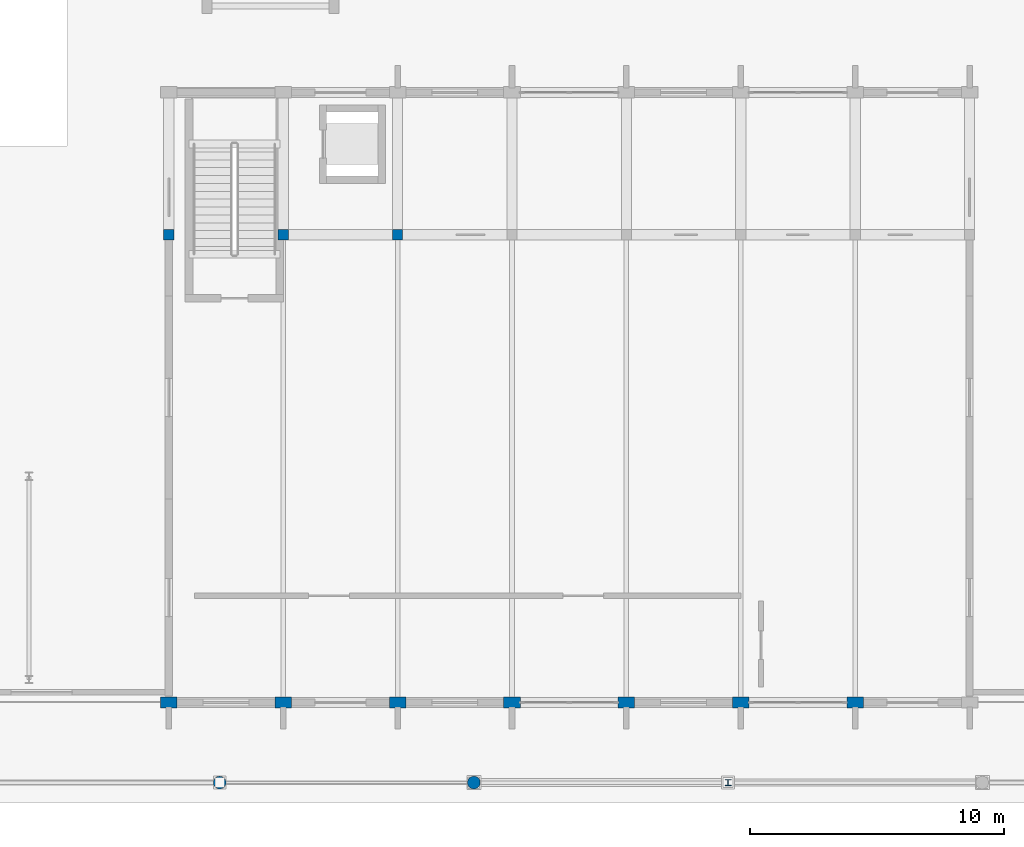
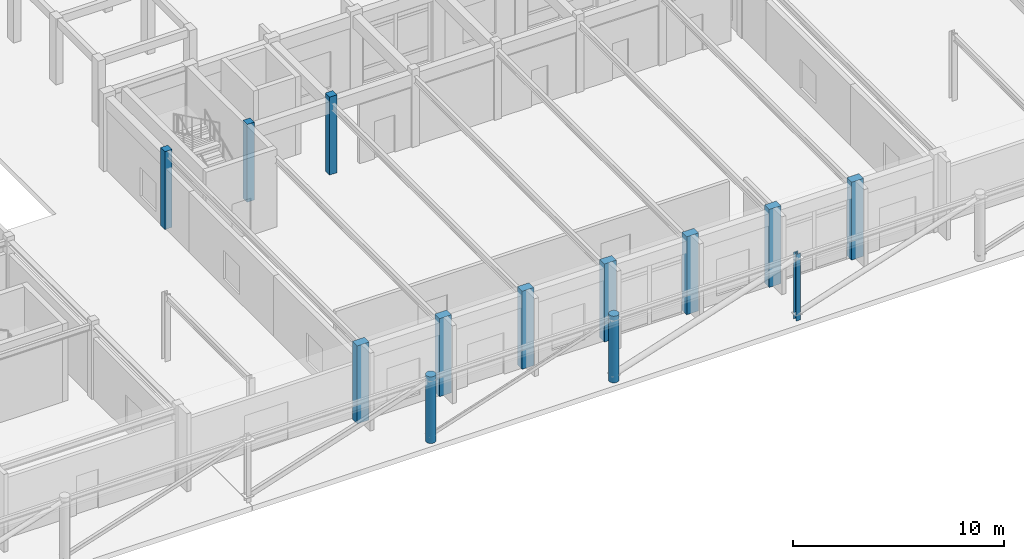
# One storey, part 3 of 61: 13 columns.
"""IFC4 building model written with IfcOpenShell, lengths in metres."""

from ifc_helpers import new_model, si_unit, direction, frame, origin, origin_2d, place, context, subcontext, project, spatial, rectangle, circle, i_section, extrude, material, material_profile, profile_set, type_object, element, save


model = new_model("IFC4")

# Units and contexts
model_context = context("Model", 3, precision=1e-05, world=origin(), true_north=direction((0.0, 1.0)))
body_context = subcontext(model_context, "Body", "Model", "MODEL_VIEW")
ifc_project = project(units=[si_unit("LENGTHUNIT", "METRE"), si_unit("AREAUNIT", "SQUARE_METRE"), si_unit("VOLUMEUNIT", "CUBIC_METRE"), si_unit("PLANEANGLEUNIT", "RADIAN"), si_unit("MASSUNIT", "GRAM", prefix="KILO")], contexts=[model_context])

# Site, building, storey
site_placement = place(None, origin())
site = spatial("IfcSite", under=ifc_project, at=site_placement, CompositionType="ELEMENT")
building_placement = place(site_placement, origin())
building = spatial("IfcBuilding", under=site, at=building_placement, Name="Zimvara Arc Housing Community", CompositionType="ELEMENT")
storey_placement = place(building_placement, origin())
storey = spatial("IfcBuildingStorey", under=building, at=storey_placement, Name="L00", CompositionType="ELEMENT", Elevation=0.0)

# Columns
ifc_material_1 = material(Name="Concrete C40/50", Category="concrete")
ifc_material_profile_1 = material_profile(ifc_material_1, rectangle(XDim=0.39990234375, YDim=0.39990234375, at=origin_2d()), Name="RC 400x400")
ifc_profile_set_1 = profile_set([ifc_material_profile_1], Name="Concrete C40/50")
column_type_1 = type_object("IfcColumnType", Name="COL-RC-400x400", PredefinedType="COLUMN", material=ifc_profile_set_1)
for number, where, z_axis, x_axis, name in (
    (1, (68.0, 22.0, 0.0), (0.0, 0.0, 1.0), (1.0, 0.0, 0.0), "col:hall:L00:gal:x0"),
    (2, (72.5, 22.0, 0.0), (0.0, 0.0, 1.0), (1.0, 0.0, 0.0), "col:hall:L00:gal:x1"),
    (3, (77.0, 22.0, 0.0), (0.0, 0.0, 1.0), (1.0, 0.0, 0.0), "col:hall:L00:gal:x2"),
):
    element("IfcColumn", number, at=place(storey_placement, frame(where, z_axis=z_axis, x_axis=x_axis)), inside=storey, type_object=column_type_1, Name=name, PredefinedType="COLUMN", context=body_context, shape_type="SweptSolid", body=[
        extrude(rectangle(XDim=0.39990234375, YDim=0.39990234375, at=origin_2d()), origin(), (0.0, 0.0, 1.0), 4.5),
    ])
ifc_material_2 = material(Name="Concrete C40/50", Category="concrete")
ifc_material_profile_2 = material_profile(ifc_material_2, rectangle(XDim=0.449951171875, YDim=0.64990234375, at=origin_2d()), Name="RC 450x650")
ifc_profile_set_2 = profile_set([ifc_material_profile_2], Name="Concrete C40/50")
column_type_2 = type_object("IfcColumnType", Name="COL-RC-450x650", PredefinedType="COLUMN", material=ifc_profile_set_2)
for number, where, z_axis, x_axis, name in (
    (4, (68.0, 3.60009765625, 0.0), (0.0, 0.0, 1.0), (0.0, 1.0, 0.0), "col:hall:L00:x0:y0"),
    (5, (72.5, 3.60009765625, 0.0), (0.0, 0.0, 1.0), (0.0, 1.0, 0.0), "col:hall:L00:x1:y0"),
    (6, (77.0, 3.60009765625, 0.0), (0.0, 0.0, 1.0), (0.0, 1.0, 0.0), "col:hall:L00:x2:y0"),
    (7, (81.5, 3.60009765625, 0.0), (0.0, 0.0, 1.0), (0.0, 1.0, 0.0), "col:hall:L00:x3:y0"),
    (8, (86.0, 3.60009765625, 0.0), (0.0, 0.0, 1.0), (0.0, 1.0, 0.0), "col:hall:L00:x4:y0"),
    (9, (90.5, 3.60009765625, 0.0), (0.0, 0.0, 1.0), (0.0, 1.0, 0.0), "col:hall:L00:x5:y0"),
    (10, (95.0, 3.60009765625, 0.0), (0.0, 0.0, 1.0), (0.0, 1.0, 0.0), "col:hall:L00:x6:y0"),
):
    element("IfcColumn", number, at=place(storey_placement, frame(where, z_axis=z_axis, x_axis=x_axis)), inside=storey, type_object=column_type_2, Name=name, PredefinedType="COLUMN", context=body_context, shape_type="SweptSolid", body=[
        extrude(rectangle(XDim=0.449951171875, YDim=0.64990234375, at=origin_2d()), origin(), (0.0, 0.0, 1.0), 4.5),
    ])
ifc_material_3 = material(Name="Concrete C40/50", Category="concrete")
ifc_material_profile_3 = material_profile(ifc_material_3, circle(Radius=0.25, at=origin_2d()), Name="RC D500")
ifc_profile_set_3 = profile_set([ifc_material_profile_3], Name="Concrete C40/50")
column_type_3 = type_object("IfcColumnType", Name="COL-RC-D500", PredefinedType="COLUMN", material=ifc_profile_set_3)
for number, where, z_axis, x_axis, name in (
    (11, (70.0, 0.449951171875, 0.0), (0.0, 0.0, 1.0), (1.0, 0.0, 0.0), "col:colonnade:L00:7"),
    (12, (80.0, 0.449951171875, 0.0), (0.0, 0.0, 1.0), (1.0, 0.0, 0.0), "col:colonnade:L00:8"),
):
    element("IfcColumn", number, at=place(storey_placement, frame(where, z_axis=z_axis, x_axis=x_axis)), inside=storey, type_object=column_type_3, Name=name, PredefinedType="COLUMN", context=body_context, shape_type="SweptSolid", body=[
        extrude(circle(Radius=0.25, at=origin_2d()), origin(), (0.0, 0.0, 1.0), 3.85009765625),
    ])
ifc_material_4 = material(Name="Steel S355", Category="steel")
ifc_material_profile_4 = material_profile(ifc_material_4, i_section(OverallWidth=0.239990234375, OverallDepth=0.239990234375, WebThickness=0.010009765625, FlangeThickness=0.01708984375, FilletRadius=0.02099609375, at=origin_2d()), Name="HEB 240")
ifc_profile_set_4 = profile_set([ifc_material_profile_4], Name="Steel S355")
column_type_4 = type_object("IfcColumnType", Name="COL-ST-HEB240", PredefinedType="COLUMN", material=ifc_profile_set_4)
column_placement = place(storey_placement, frame((90.0, 0.449951171875, 0.0), z_axis=(0.0, 0.0, 1.0), x_axis=(1.0, 0.0, 0.0)))
element("IfcColumn", 13, at=column_placement, inside=storey, type_object=column_type_4, Name="col:colonnade:L00:9", PredefinedType="COLUMN", context=body_context, shape_type="SweptSolid", body=[
    extrude(i_section(OverallWidth=0.239990234375, OverallDepth=0.239990234375, WebThickness=0.010009765625, FlangeThickness=0.01708984375, FilletRadius=0.02099609375, at=origin_2d()), origin(), (0.0, 0.0, 1.0), 3.85009765625),
])

save(model, "model.ifc")
